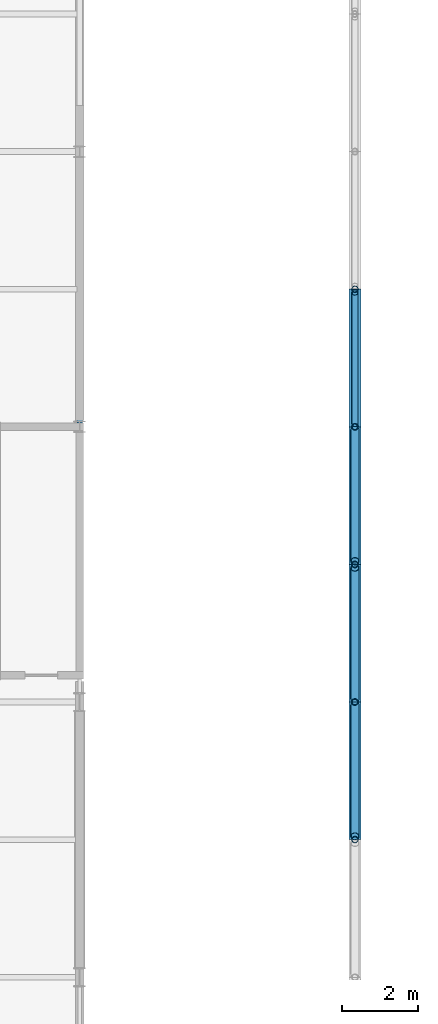
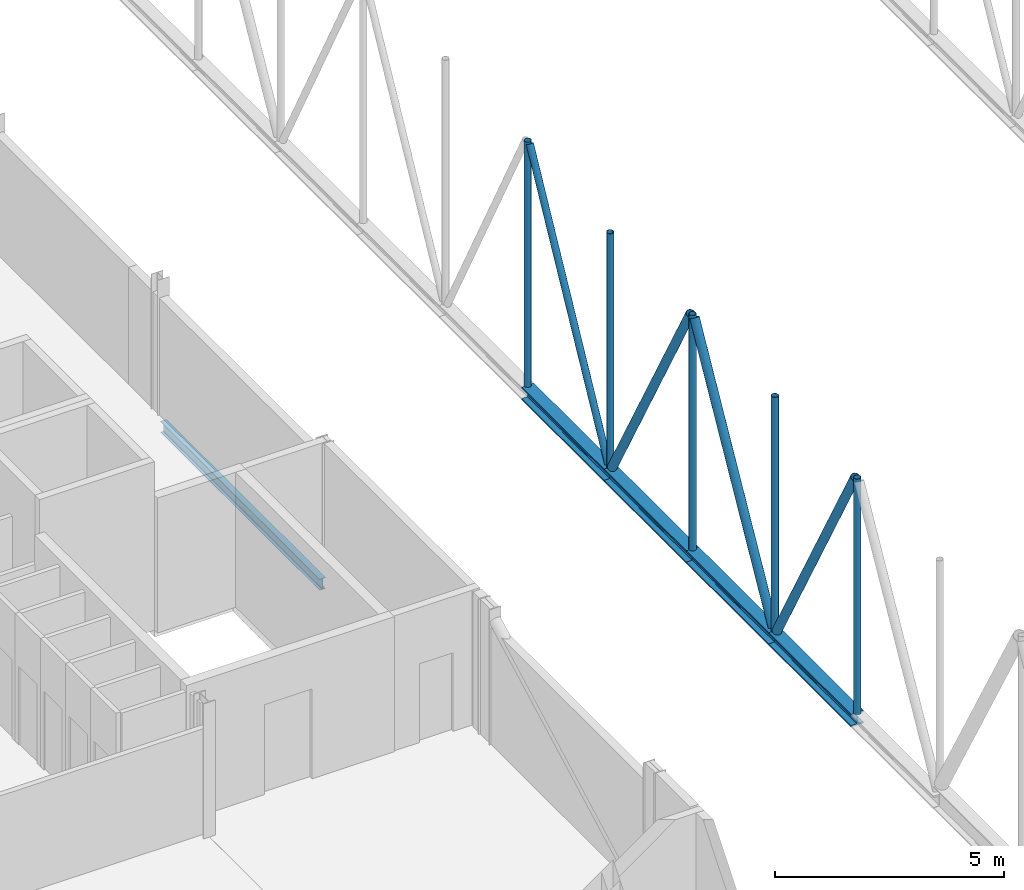
# One storey, part 37 of 142: 13 members, 1 beam.
"""IFC4 building model written with IfcOpenShell, lengths in metres."""

from ifc_helpers import new_model, si_unit, direction, frame, origin, origin_2d, place, context, subcontext, project, spatial, hollow_circle, i_section, extrude, material, material_profile, profile_set, type_object, element, save


model = new_model("IFC4")

# Units and contexts
model_context = context("Model", 3, precision=1e-05, world=origin(), true_north=direction((0.0, 1.0)))
body_context = subcontext(model_context, "Body", "Model", "MODEL_VIEW")
ifc_project = project(units=[si_unit("LENGTHUNIT", "METRE"), si_unit("AREAUNIT", "SQUARE_METRE"), si_unit("VOLUMEUNIT", "CUBIC_METRE"), si_unit("PLANEANGLEUNIT", "RADIAN"), si_unit("MASSUNIT", "GRAM", prefix="KILO")], contexts=[model_context])

# Site, building, storey
site_placement = place(None, origin())
site = spatial("IfcSite", under=ifc_project, at=site_placement, CompositionType="ELEMENT")
building_placement = place(site_placement, origin())
building = spatial("IfcBuilding", under=site, at=building_placement, Name="Kupolbacken Congress Centre", CompositionType="ELEMENT")
storey_placement = place(building_placement, frame((0.0, 0.0, 14.39990234375)))
storey = spatial("IfcBuildingStorey", under=building, at=storey_placement, Name="L04", CompositionType="ELEMENT", Elevation=14.39990234375)

# Beam
ifc_material_1 = material(Name="Steel S355", Category="steel")
ifc_material_profile_1 = material_profile(ifc_material_1, i_section(OverallWidth=0.14990234375, OverallDepth=0.300048828125, WebThickness=0.007080078125, FlangeThickness=0.0107421875, FilletRadius=0.014892578125, at=origin_2d()), Name="IPE 300")
ifc_profile_set_1 = profile_set([ifc_material_profile_1], Name="Steel S355")
beam_type = type_object("IfcBeamType", Name="B04 beam IPE 300", PredefinedType="BEAM", material=ifc_profile_set_1)
beam_placement = place(storey_placement, frame((86.39990234375, 72.10009765625, -0.329833984375), z_axis=(0.0, 1.0, 0.0), x_axis=(-1.0, 0.0, 0.0)))
element("IfcBeam", 1, at=beam_placement, inside=storey, type_object=beam_type, Name="S/floor/LINK/L04/E005", PredefinedType="BEAM", context=body_context, shape_type="SweptSolid", body=[
    extrude(i_section(OverallWidth=0.14990234375, OverallDepth=0.300048828125, WebThickness=0.007080078125, FlangeThickness=0.0107421875, FilletRadius=0.014892578125, at=origin_2d()), origin(), (0.0, 0.0, 1.0), 6.954833984375),
])

# Members
ifc_material_2 = material(Name="Steel S355", Category="steel")
ifc_material_profile_2 = material_profile(ifc_material_2, i_section(OverallWidth=0.31005859375, OverallDepth=0.340087890625, WebThickness=0.02099609375, FlangeThickness=0.0390625, FilletRadius=0.027099609375, at=origin_2d()), Name="HEM 300")
ifc_profile_set_2 = profile_set([ifc_material_profile_2], Name="Steel S355")
member_type_1 = type_object("IfcMemberType", Name="M01 transfer truss chord HEM 300", PredefinedType="CHORD", material=ifc_profile_set_2)
member_1_placement = place(storey_placement, frame((93.60009765625, 61.199951171875, 0.16015625), z_axis=(0.0, 1.0, 0.0), x_axis=(-1.0, 0.0, 0.0)))
element("IfcMember", 2, at=member_1_placement, inside=storey, type_object=member_type_1, Name="HT/T1/BC06", PredefinedType="CHORD", context=body_context, shape_type="SweptSolid", body=[
    extrude(i_section(OverallWidth=0.31005859375, OverallDepth=0.340087890625, WebThickness=0.02099609375, FlangeThickness=0.0390625, FilletRadius=0.027099609375, at=origin_2d()), origin(), (0.0, 0.0, 1.0), 3.60009765625),
])
member_2_placement = place(storey_placement, frame((93.60009765625, 64.800048828125, 0.16015625), z_axis=(0.0, 1.0, 0.0), x_axis=(-1.0, 0.0, 0.0)))
element("IfcMember", 3, at=member_2_placement, inside=storey, type_object=member_type_1, Name="HT/T1/BC07", PredefinedType="CHORD", context=body_context, shape_type="SweptSolid", body=[
    extrude(i_section(OverallWidth=0.31005859375, OverallDepth=0.340087890625, WebThickness=0.02099609375, FlangeThickness=0.0390625, FilletRadius=0.027099609375, at=origin_2d()), origin(), (0.0, 0.0, 1.0), 3.599853515625),
])
for number, where, z_axis, x_axis, name in (
    (4, (93.60009765625, 68.39990234375, 0.16015625), (0.0, 1.0, 0.0), (-1.0, 0.0, 0.0), "HT/T1/BC08"),
    (5, (93.60009765625, 72.0, 0.16015625), (0.0, 1.0, 0.0), (-1.0, 0.0, 0.0), "HT/T1/BC09"),
):
    element("IfcMember", number, at=place(storey_placement, frame(where, z_axis=z_axis, x_axis=x_axis)), inside=storey, type_object=member_type_1, Name=name, PredefinedType="CHORD", context=body_context, shape_type="SweptSolid", body=[
        extrude(i_section(OverallWidth=0.31005859375, OverallDepth=0.340087890625, WebThickness=0.02099609375, FlangeThickness=0.0390625, FilletRadius=0.027099609375, at=origin_2d()), origin(), (0.0, 0.0, 1.0), 3.60009765625),
    ])
ifc_material_3 = material(Name="Steel S355", Category="steel")
ifc_material_profile_3 = material_profile(ifc_material_3, hollow_circle(Radius=0.109619140625, WallThickness=0.010009765625, at=origin_2d()), Name="CHS 219.1 x 10")
ifc_profile_set_3 = profile_set([ifc_material_profile_3], Name="Steel S355")
member_type_2 = type_object("IfcMemberType", Name="M05 transfer truss web CHS 219.1 x 10", PredefinedType="BRACE", material=ifc_profile_set_3)
member_3_placement = place(storey_placement, frame((93.60009765625, 61.2841796875, 6.5576171875), z_axis=(0.0, 0.48517101949, -0.874419282637), x_axis=(-1.0, 0.0, 0.0)))
element("IfcMember", 6, at=member_3_placement, inside=storey, type_object=member_type_2, Name="HT/T1/D06", PredefinedType="BRACE", context=body_context, shape_type="SweptSolid", body=[
    extrude(hollow_circle(Radius=0.109619140625, WallThickness=0.010009765625, at=origin_2d()), origin(), (0.0, 0.0, 1.0), 7.072998046875),
])
member_4_placement = place(storey_placement, frame((93.60009765625, 64.884033203125, 0.372802734375), z_axis=(0.0, 0.485197410842, 0.87440463889), x_axis=(-1.0, 0.0, 0.0)))
element("IfcMember", 7, at=member_4_placement, inside=storey, type_object=member_type_2, Name="HT/T1/D07", PredefinedType="BRACE", context=body_context, shape_type="SweptSolid", body=[
    extrude(hollow_circle(Radius=0.109619140625, WallThickness=0.010009765625, at=origin_2d()), origin(), (0.0, 0.0, 1.0), 7.0732421875),
])
member_5_placement = place(storey_placement, frame((93.60009765625, 68.484130859375, 6.5576171875), z_axis=(0.0, 0.48517101949, -0.874419282637), x_axis=(-1.0, 0.0, 0.0)))
element("IfcMember", 8, at=member_5_placement, inside=storey, type_object=member_type_2, Name="HT/T1/D08", PredefinedType="BRACE", context=body_context, shape_type="SweptSolid", body=[
    extrude(hollow_circle(Radius=0.109619140625, WallThickness=0.010009765625, at=origin_2d()), origin(), (0.0, 0.0, 1.0), 7.072998046875),
])
ifc_material_4 = material(Name="Steel S355", Category="steel")
ifc_material_profile_4 = material_profile(ifc_material_4, hollow_circle(Radius=0.084228515625, WallThickness=0.008056640625, at=origin_2d()), Name="CHS 168.3 x 8")
ifc_profile_set_4 = profile_set([ifc_material_profile_4], Name="Steel S355")
member_type_3 = type_object("IfcMemberType", Name="M06 transfer truss web CHS 168.3 x 8", PredefinedType="BRACE", material=ifc_profile_set_4)
member_6_placement = place(storey_placement, frame((93.60009765625, 72.084228515625, 0.359130859375), z_axis=(0.0, 0.468455727838, 0.883486972771), x_axis=(-1.0, 0.0, 0.0)))
element("IfcMember", 9, at=member_6_placement, inside=storey, type_object=member_type_3, Name="HT/T1/D09", PredefinedType="BRACE", context=body_context, shape_type="SweptSolid", body=[
    extrude(hollow_circle(Radius=0.084228515625, WallThickness=0.008056640625, at=origin_2d()), origin(), (0.0, 0.0, 1.0), 7.325439453125),
])
ifc_material_5 = material(Name="Steel S355", Category="steel")
ifc_material_profile_5 = material_profile(ifc_material_5, hollow_circle(Radius=0.084228515625, WallThickness=0.008056640625, at=origin_2d()), Name="CHS 168.3 x 8")
ifc_profile_set_5 = profile_set([ifc_material_profile_5], Name="Steel S355")
member_type_4 = type_object("IfcMemberType", Name="M20 transfer truss post CHS 168.3 x 8", PredefinedType="STRUT", material=ifc_profile_set_5)
for number, where, z_axis, x_axis, name in (
    (10, (93.60009765625, 61.199951171875, 0.320068359375), (0.0, 0.0, 1.0), (0.0, 1.0, 0.0), "HT/T1/P05"),
    (11, (93.60009765625, 64.800048828125, 0.320068359375), (0.0, 0.0, 1.0), (0.0, 1.0, 0.0), "HT/T1/P06"),
    (12, (93.60009765625, 68.39990234375, 0.320068359375), (0.0, 0.0, 1.0), (0.0, 1.0, 0.0), "HT/T1/P07"),
    (13, (93.60009765625, 72.0, 0.320068359375), (0.0, 0.0, 1.0), (0.0, 1.0, 0.0), "HT/T1/P08"),
):
    element("IfcMember", number, at=place(storey_placement, frame(where, z_axis=z_axis, x_axis=x_axis)), inside=storey, type_object=member_type_4, Name=name, PredefinedType="STRUT", context=body_context, shape_type="SweptSolid", body=[
        extrude(hollow_circle(Radius=0.084228515625, WallThickness=0.008056640625, at=origin_2d()), origin(), (0.0, 0.0, 1.0), 6.2900390625),
    ])
member_7_placement = place(storey_placement, frame((93.60009765625, 75.60009765625, 0.320068359375), z_axis=(0.0, 0.0, 1.0), x_axis=(0.0, 1.0, 0.0)))
element("IfcMember", 14, at=member_7_placement, inside=storey, type_object=member_type_4, Name="HT/T1/P09", PredefinedType="STRUT", context=body_context, shape_type="SweptSolid", body=[
    extrude(hollow_circle(Radius=0.084228515625, WallThickness=0.008056640625, at=origin_2d()), origin(), (0.0, 0.0, 1.0), 6.550048828125),
])

save(model, "model.ifc")
